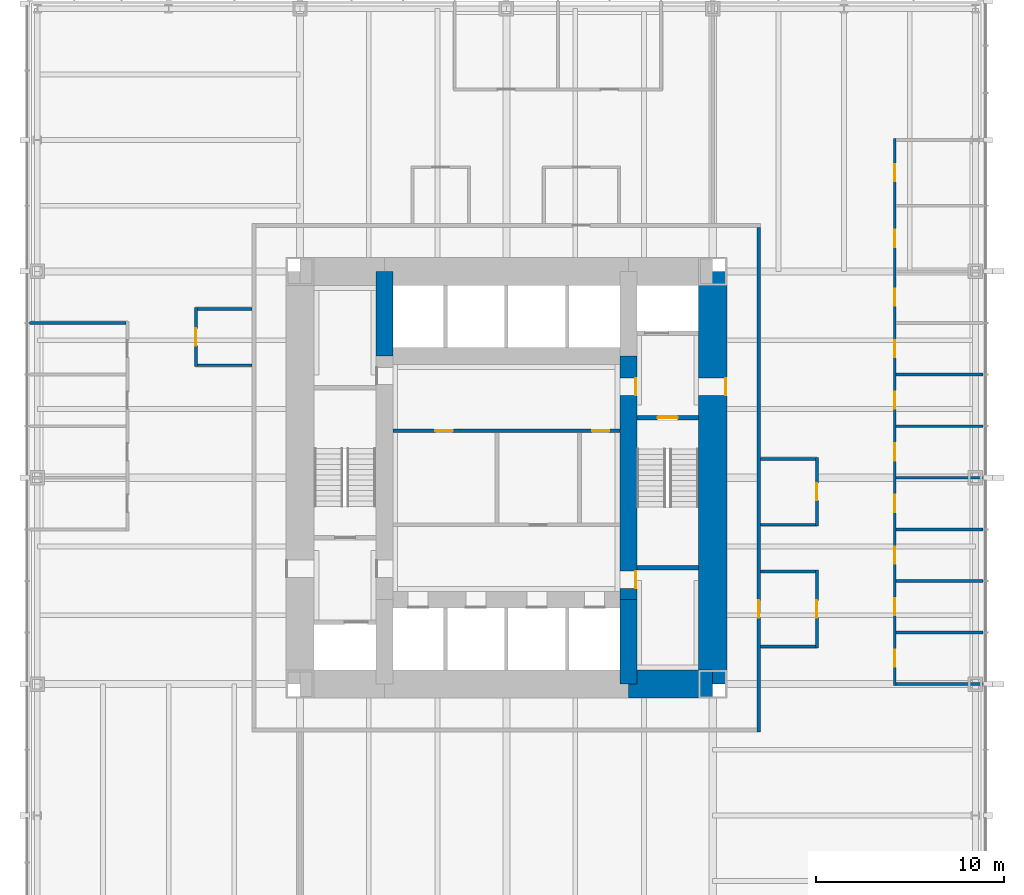
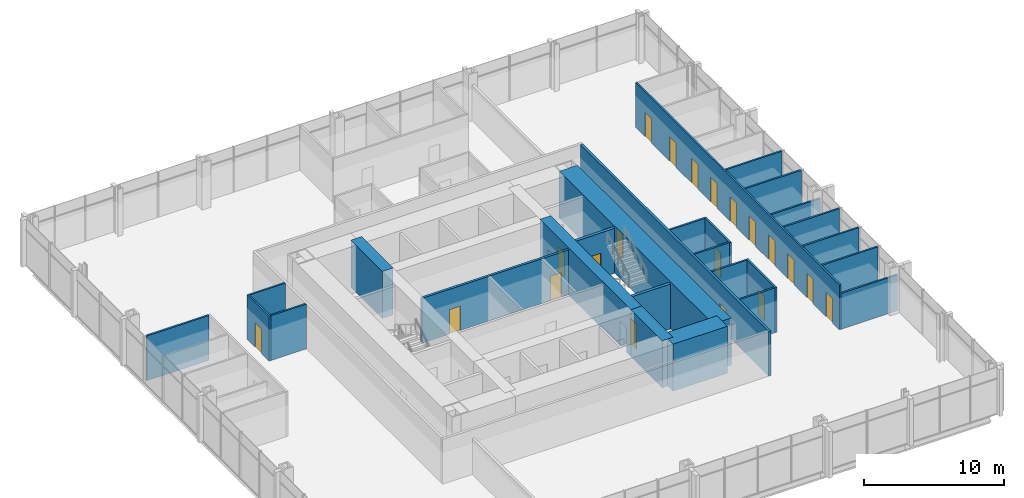
# One storey, part 10 of 12: 27 walls, 20 doors, 20 openings.
"""IFC4 building model written with IfcOpenShell, lengths in metres."""

import ifcopenshell
import ifcopenshell.guid

model = None  # the IFC model being written
_history = None  # IfcOwnerHistory: only IFC2X3 demands one
_inside = {}  # id of a spatial element -> (the spatial element, [elements in it])
_under = {}  # id of a project, library or spatial element -> (it, [spatial elements below it])
_declared = {}  # id of a project -> (the project, [libraries it declares])
_typed = {}  # id of a type object -> (the type object, [elements of that type])
_made_of = {}  # id of a material, layer set ... -> (it, [elements and type objects made of it])


def new_model(schema):
    """Start an empty IFC model of exactly this schema.

    Asked for "IFC4X3", IfcOpenShell would pick the latest addendum, in which some entities
    have other attributes; the version numbers below select the first issue.
    IFC2X3 requires an IfcOwnerHistory on every rooted entity: one is made here for all.
    """
    global model, _history
    if schema == "IFC4X3":
        model = ifcopenshell.file(schema_version=(4, 3, 0, 0))
    else:
        model = ifcopenshell.file(schema=schema)
    _inside.clear()
    _under.clear()
    _declared.clear()
    _typed.clear()
    _made_of.clear()
    _history = None
    if model.schema == "IFC2X3":
        org = make("IfcOrganization", Name="unknown")
        user = make(
            "IfcPersonAndOrganization",
            ThePerson=make("IfcPerson", FamilyName="unknown"),
            TheOrganization=org,
        )
        app = make(
            "IfcApplication",
            ApplicationDeveloper=org,
            Version="unknown",
            ApplicationFullName="unknown",
            ApplicationIdentifier="unknown",
        )
        _history = make(
            "IfcOwnerHistory",
            OwningUser=user,
            OwningApplication=app,
            ChangeAction="ADDED",
            CreationDate=0,
        )
    return model


def make(cls, **values):
    """One entity of the class cls with the attributes given. An attribute that is None is left unset."""
    return model.create_entity(
        cls, **{name: value for name, value in values.items() if value is not None}
    )


def rooted(cls, **values):
    """An entity with a GlobalId (a new one), such as an element, a storey or a relation."""
    return make(cls, GlobalId=ifcopenshell.guid.new(), OwnerHistory=_history, **values)


def si_unit(unit_type, name, prefix=None):
    """IfcSIUnit, for example si_unit("LENGTHUNIT", "METRE", prefix="MILLI")."""
    return make("IfcSIUnit", UnitType=unit_type, Prefix=prefix, Name=name)


def assignment(units):
    """IfcUnitAssignment: the units of a project."""
    return None if units is None else make("IfcUnitAssignment", Units=units)


def point(xyz):
    """IfcCartesianPoint."""
    return None if xyz is None else make("IfcCartesianPoint", Coordinates=xyz)


def direction(xyz):
    """IfcDirection."""
    return None if xyz is None else make("IfcDirection", DirectionRatios=xyz)


def frame(location, z_axis=None, x_axis=None):
    """IfcAxis2Placement3D, a coordinate frame: its origin and axes. An axis left out is left unset."""
    return make(
        "IfcAxis2Placement3D",
        Location=point(location),
        Axis=direction(z_axis),
        RefDirection=direction(x_axis),
    )


def frame_2d(location, x_axis=None):
    """IfcAxis2Placement2D, a coordinate frame in the plane: its origin and x axis."""
    return make(
        "IfcAxis2Placement2D", Location=point(location), RefDirection=direction(x_axis)
    )


def origin():
    """The frame at (0, 0, 0) with its axes left unset."""
    return frame((0.0, 0.0, 0.0))


def place(relative_to, where):
    """IfcLocalPlacement: puts the frame where relative to a parent placement (None: the world)."""
    return make(
        "IfcLocalPlacement", PlacementRelTo=relative_to, RelativePlacement=where
    )


def context(
    kind, dimensions, precision=None, world=None, true_north=None, identifier=None
):
    """IfcGeometricRepresentationContext, for example the 3D "Model" context."""
    return make(
        "IfcGeometricRepresentationContext",
        ContextIdentifier=identifier,
        ContextType=kind,
        CoordinateSpaceDimension=dimensions,
        Precision=precision,
        WorldCoordinateSystem=world,
        TrueNorth=true_north,
    )


def subcontext(parent, identifier, kind, view, scale=None):
    """IfcGeometricRepresentationSubContext, for example "Body" below "Model"."""
    return make(
        "IfcGeometricRepresentationSubContext",
        ContextIdentifier=identifier,
        ContextType=kind,
        ParentContext=parent,
        TargetScale=scale,
        TargetView=view,
    )


def project(units=None, contexts=None):
    """IfcProject with its units and contexts."""
    return rooted(
        "IfcProject",
        Name="project",
        RepresentationContexts=contexts,
        UnitsInContext=assignment(units),
    )


def spatial(cls, under=None, at=None, **own):
    """A site, building, storey or space (cls), placed at a placement, below another one or the project."""
    s = rooted(cls, ObjectPlacement=at, **own)
    if under is not None:
        _under.setdefault(under.id(), (under, []))[1].append(s)
    return s


def profile(cls, at=None, kind="AREA", **sizes):
    """A parametric profile (cls). Its sizes go by their IFC names, for example OverallWidth=200.0."""
    return make(cls, ProfileType=kind, Position=at, **sizes)


def rectangle(**sizes):
    """IfcRectangleProfileDef."""
    return profile("IfcRectangleProfileDef", **sizes)


def extrude(swept, where, along, depth):
    """IfcExtrudedAreaSolid: the profile swept, set in the frame where, extruded along a direction by depth."""
    return make(
        "IfcExtrudedAreaSolid",
        SweptArea=swept,
        Position=where,
        ExtrudedDirection=direction(along),
        Depth=depth,
    )


def shape(context_of_items, identifier, shape_type, items):
    """IfcShapeRepresentation: the items that make up one representation, for example the "Body"."""
    return make(
        "IfcShapeRepresentation",
        ContextOfItems=context_of_items,
        RepresentationIdentifier=identifier,
        RepresentationType=shape_type,
        Items=items,
    )


def material(Name=None, Category=None):
    """IfcMaterial."""
    return make("IfcMaterial", Name=Name, Category=Category)


def layer(
    of_material, thickness, ventilated=None, Name=None, Category=None, Priority=None
):
    """IfcMaterialLayer: one layer of a wall or slab, of a material (None: an air gap)."""
    return make(
        "IfcMaterialLayer",
        Material=of_material,
        LayerThickness=thickness,
        IsVentilated=ventilated,
        Name=Name,
        Category=Category,
        Priority=Priority,
    )


def layer_set(layers, Name=None):
    """IfcMaterialLayerSet."""
    return make("IfcMaterialLayerSet", MaterialLayers=layers, LayerSetName=Name)


def made_of(thing, what):
    """Note that an element or type object is made of a material, layer set ...; save() writes the relation."""
    if what is not None:
        _made_of.setdefault(what.id(), (what, []))[1].append(thing)
    return thing


def type_object(cls, material=None, **own):
    """A type object (cls), such as IfcWallType, which elements share."""
    return made_of(rooted(cls, **own), material)


def element(
    cls,
    number,
    at=None,
    inside=None,
    cuts=None,
    type_object=None,
    material=None,
    context=None,
    identifier="Body",
    shape_type=None,
    held_by="IfcProductDefinitionShape",
    body=None,
    shapes=None,
    **own,
):
    """One element of the class cls, such as IfcWall. Its Tag is "e" and its number.

    at: its placement. inside: the storey or other place that contains it. cuts: it is an
    opening in that element (IfcRelVoidsElement). A single representation is given by context,
    identifier, shape_type and body (its items); several are given by shapes. held_by: the class
    of the entity that holds the representations. save() writes the other relations.
    """
    e = rooted(cls, Tag="e%d" % number, ObjectPlacement=at, **own)
    if body is not None:
        shapes = [shape(context, identifier, shape_type, body)]
    if shapes is not None:
        e.Representation = make(held_by, Representations=shapes)
    if inside is not None:
        _inside.setdefault(inside.id(), (inside, []))[1].append(e)
    if cuts is not None:
        rooted(
            "IfcRelVoidsElement", RelatingBuildingElement=cuts, RelatedOpeningElement=e
        )
    if type_object is not None:
        _typed.setdefault(type_object.id(), (type_object, []))[1].append(e)
    return made_of(e, material)


def fill(opening, filler):
    """IfcRelFillsElement: the door or window that sits in an opening."""
    return rooted(
        "IfcRelFillsElement",
        RelatingOpeningElement=opening,
        RelatedBuildingElement=filler,
    )


def aggregate(whole, parts):
    """IfcRelAggregates: a whole, such as a stair, and the parts it consists of."""
    return rooted("IfcRelAggregates", RelatingObject=whole, RelatedObjects=parts)


def save(model, path):
    """Write the relations noted so far, then the file.

    IfcRelAggregates (storeys below a building ...), IfcRelContainedInSpatialStructure (elements
    in a storey), IfcRelDefinesByType, IfcRelAssociatesMaterial and IfcRelDeclares: one each for
    every whole, place, type object, material and project.
    """
    for whole, parts in _under.values():
        aggregate(whole, parts)
    for where, things in _inside.values():
        rooted(
            "IfcRelContainedInSpatialStructure",
            RelatedElements=things,
            RelatingStructure=where,
        )
    for kind, things in _typed.values():
        rooted("IfcRelDefinesByType", RelatedObjects=things, RelatingType=kind)
    for what, things in _made_of.values():
        rooted("IfcRelAssociatesMaterial", RelatedObjects=things, RelatingMaterial=what)
    for by, libraries in _declared.values():
        rooted("IfcRelDeclares", RelatingContext=by, RelatedDefinitions=libraries)
    model.write(path)


model = new_model("IFC4")

# Units and contexts
model_context = context("Model", 3, precision=1e-05, world=origin(), true_north=direction((0.0, 1.0)))
body_context = subcontext(model_context, "Body", "Model", "MODEL_VIEW")
ifc_project = project(units=[si_unit("LENGTHUNIT", "METRE"), si_unit("AREAUNIT", "SQUARE_METRE"), si_unit("VOLUMEUNIT", "CUBIC_METRE"), si_unit("PLANEANGLEUNIT", "RADIAN"), si_unit("MASSUNIT", "GRAM", prefix="KILO")], contexts=[model_context])

# Site, building, storey
site_placement = place(None, origin())
site = spatial("IfcSite", under=ifc_project, at=site_placement, CompositionType="ELEMENT")
building_placement = place(site_placement, origin())
building = spatial("IfcBuilding", under=site, at=building_placement, Name="Trevanion Tower", CompositionType="ELEMENT")
storey_placement = place(building_placement, frame((0.0, 0.0, 44.699951171875)))
storey = spatial("IfcBuildingStorey", under=building, at=storey_placement, Name="L10", CompositionType="ELEMENT", Elevation=44.699951171875)

# Wall, opening, door
ifc_material_1 = material(Name="Concrete 10,000 psi", Category="concrete")
ifc_layer_1 = layer(ifc_material_1, 1.5)
ifc_layer_set_1 = layer_set([ifc_layer_1], Name="CW1 core wall 1500")
wall_type_1 = type_object("IfcWallType", Name="CW1 core wall 1500", PredefinedType="SHEAR", material=ifc_layer_set_1)
wall_1_placement = place(storey_placement, frame((11.0, -11.0, 0.0), z_axis=(0.0, 0.0, 1.0), x_axis=(0.0, 1.0, 0.0)))
wall_1 = element("IfcWall", 1, at=wall_1_placement, inside=storey, type_object=wall_type_1, Name="CW1 CE L10", PredefinedType="SHEAR", context=body_context, shape_type="SweptSolid", body=[
    extrude(rectangle(XDim=22.0, YDim=1.5, at=frame_2d((11.0, 0.0))), origin(), (0.0, 0.0, 1.0), 4.10009765625),
])
opening_1_placement = place(wall_1_placement, frame((15.392578125, 0.0, 0.0)))
opening_1 = element("IfcOpeningElement", 2, at=opening_1_placement, cuts=wall_1, Name="Opening 10-001", PredefinedType="OPENING", context=body_context, shape_type="SweptSolid", body=[
    extrude(rectangle(XDim=0.9150390625, YDim=2.134033203125, at=frame_2d((0.45751953125, 1.06689453125))), frame((0.0, 0.760009765625, 0.0), z_axis=(0.0, -1.0, 0.0), x_axis=(1.0, 0.0, 0.0)), (0.0, 0.0, 1.0), 1.52001953125),
])
ifc_material_2 = material(Name="Hollow metal, fire rated", Category="steel")
door_type_1 = type_object("IfcDoorType", Name="D3 fire lift lobby door", OperationType="SINGLE_SWING_RIGHT", PredefinedType="DOOR", material=ifc_material_2)
door_1_placement = place(opening_1_placement, origin())
door_1 = element("IfcDoor", 3, at=door_1_placement, inside=storey, type_object=door_type_1, Name="Door 10-001", OperationType="SINGLE_SWING_RIGHT", OverallHeight=2.134033203125, OverallWidth=0.9150390625, PredefinedType="DOOR", context=body_context, shape_type="SweptSolid", body=[
    extrude(rectangle(XDim=0.9150390625, YDim=2.134033203125, at=frame_2d((0.45751953125, 1.06689453125))), frame((0.0, -0.6748046875, 0.0), z_axis=(0.0, -1.0, 0.0), x_axis=(1.0, 0.0, 0.0)), (0.0, 0.0, 1.0), 0.050048828125),
])
fill(opening_1, door_1)

# Walls
wall_2_placement = place(storey_placement, frame((6.5, -11.0, 0.0), z_axis=(0.0, 0.0, 1.0), x_axis=(1.0, 0.0, 0.0)))
element("IfcWall", 4, at=wall_2_placement, inside=storey, type_object=wall_type_1, Name="CW1 CS3 L10", PredefinedType="SHEAR", context=body_context, shape_type="SweptSolid", body=[
    extrude(rectangle(XDim=4.5, YDim=1.5, at=frame_2d((2.25, 0.0))), origin(), (0.0, 0.0, 1.0), 4.10009765625),
])
ifc_material_3 = material(Name="Concrete 10,000 psi", Category="concrete")
ifc_layer_2 = layer(ifc_material_3, 0.89990234375)
ifc_layer_set_2 = layer_set([ifc_layer_2], Name="CW2 core wall 900")
wall_type_2 = type_object("IfcWallType", Name="CW2 core wall 900", PredefinedType="SHEAR", material=ifc_layer_set_2)
wall_3_placement = place(storey_placement, frame((6.5, -11.0, 0.0), z_axis=(0.0, 0.0, 1.0), x_axis=(0.0, 1.0, 0.0)))
element("IfcWall", 5, at=wall_3_placement, inside=storey, type_object=wall_type_2, Name="CW2 RE1 L10", PredefinedType="SHEAR", context=body_context, shape_type="SweptSolid", body=[
    extrude(rectangle(XDim=4.5, YDim=0.89990234375, at=frame_2d((2.25, 0.0))), origin(), (0.0, 0.0, 1.0), 4.10009765625),
])

# Wall, openings, doors
wall_4_placement = place(storey_placement, frame((6.5, -6.5, 0.0), z_axis=(0.0, 0.0, 1.0), x_axis=(0.0, 1.0, 0.0)))
wall_4 = element("IfcWall", 6, at=wall_4_placement, inside=storey, type_object=wall_type_2, Name="CW2 RE2 L10", PredefinedType="SHEAR", context=body_context, shape_type="SweptSolid", body=[
    extrude(rectangle(XDim=13.0, YDim=0.89990234375, at=frame_2d((6.5, 0.0))), origin(), (0.0, 0.0, 1.0), 4.10009765625),
])
opening_2_placement = place(wall_4_placement, frame((10.892578125, 0.0, 0.0)))
opening_2 = element("IfcOpeningElement", 7, at=opening_2_placement, cuts=wall_4, Name="Opening 10-003", PredefinedType="OPENING", context=body_context, shape_type="SweptSolid", body=[
    extrude(rectangle(XDim=0.9150390625, YDim=2.134033203125, at=frame_2d((0.45751953125, 1.06689453125))), frame((0.0, 0.4599609375, 0.0), z_axis=(0.0, -1.0, 0.0), x_axis=(1.0, 0.0, 0.0)), (0.0, 0.0, 1.0), 0.919921875),
])
opening_3_placement = place(wall_4_placement, frame((0.610107421875, 0.0, 0.0)))
opening_3 = element("IfcOpeningElement", 8, at=opening_3_placement, cuts=wall_4, Name="Opening 10-009", PredefinedType="OPENING", context=body_context, shape_type="SweptSolid", body=[
    extrude(rectangle(XDim=0.9150390625, YDim=2.134033203125, at=frame_2d((0.45751953125, 1.06689453125))), frame((0.0, 0.4599609375, 0.0), z_axis=(0.0, -1.0, 0.0), x_axis=(1.0, 0.0, 0.0)), (0.0, 0.0, 1.0), 0.919921875),
])
door_2_placement = place(opening_2_placement, origin())
door_2 = element("IfcDoor", 9, at=door_2_placement, inside=storey, type_object=door_type_1, Name="Door 10-003", OperationType="SINGLE_SWING_RIGHT", OverallHeight=2.134033203125, OverallWidth=0.9150390625, PredefinedType="DOOR", context=body_context, shape_type="SweptSolid", body=[
    extrude(rectangle(XDim=0.9150390625, YDim=2.134033203125, at=frame_2d((0.45751953125, 1.06689453125))), frame((0.0, -0.375, 0.0), z_axis=(0.0, -1.0, 0.0), x_axis=(1.0, 0.0, 0.0)), (0.0, 0.0, 1.0), 0.050048828125),
])
fill(opening_2, door_2)
ifc_material_4 = material(Name="Hollow metal, fire rated", Category="steel")
door_type_2 = type_object("IfcDoorType", Name="D5 service room door", OperationType="SINGLE_SWING_RIGHT", PredefinedType="DOOR", material=ifc_material_4)
door_3_placement = place(opening_3_placement, origin())
door_3 = element("IfcDoor", 10, at=door_3_placement, inside=storey, type_object=door_type_2, Name="Door 10-009", OperationType="SINGLE_SWING_RIGHT", OverallHeight=2.134033203125, OverallWidth=0.9150390625, PredefinedType="DOOR", context=body_context, shape_type="SweptSolid", body=[
    extrude(rectangle(XDim=0.9150390625, YDim=2.134033203125, at=frame_2d((0.45751953125, 1.06689453125))), frame((0.0, -0.375, 0.0), z_axis=(0.0, -1.0, 0.0), x_axis=(1.0, 0.0, 0.0)), (0.0, 0.0, 1.0), 0.050048828125),
])
fill(opening_3, door_3)

# Wall
wall_5_placement = place(storey_placement, frame((-6.5, 11.0, 0.0), z_axis=(0.0, 0.0, 1.0), x_axis=(0.0, -1.0, 0.0)))
element("IfcWall", 11, at=wall_5_placement, inside=storey, type_object=wall_type_2, Name="CW2 RW1 L10", PredefinedType="SHEAR", context=body_context, shape_type="SweptSolid", body=[
    extrude(rectangle(XDim=4.5, YDim=0.89990234375, at=frame_2d((2.25, 0.0))), origin(), (0.0, 0.0, 1.0), 4.10009765625),
])

# Wall, openings, doors
ifc_material_5 = material(Name="Gypsum board on steel studs", Category="steel")
ifc_layer_3 = layer(ifc_material_5, 0.14990234375)
ifc_layer_set_3 = layer_set([ifc_layer_3], Name="PT1 partition 150")
wall_type_3 = type_object("IfcWallType", Name="PT1 partition 150", PredefinedType="PARTITIONING", material=ifc_layer_set_3)
wall_6_placement = place(storey_placement, frame((20.699951171875, -11.074951171875, 0.0), z_axis=(0.0, 0.0, 1.0), x_axis=(0.0, 1.0, 0.0)))
wall_6 = element("IfcWall", 12, at=wall_6_placement, inside=storey, type_object=wall_type_3, Name="PT1 L10 FC0F", PredefinedType="PARTITIONING", context=body_context, shape_type="SweptSolid", body=[
    extrude(rectangle(XDim=29.14990234375, YDim=0.14990234375, at=frame_2d((14.574951171875, 0.0))), origin(), (0.0, 0.0, 1.0), 3.91015625),
])
opening_4_placement = place(wall_6_placement, frame((0.992431640625, 0.0, 0.0)))
opening_4 = element("IfcOpeningElement", 13, at=opening_4_placement, cuts=wall_6, Name="Opening 10-018", PredefinedType="OPENING", context=body_context, shape_type="SweptSolid", body=[
    extrude(rectangle(XDim=0.9150390625, YDim=2.134033203125, at=frame_2d((0.45751953125, 1.06689453125))), frame((0.0, 0.0849609375, 0.0), z_axis=(0.0, -1.0, 0.0), x_axis=(1.0, 0.0, 0.0)), (0.0, 0.0, 1.0), 0.169921875),
])
opening_5_placement = place(wall_6_placement, frame((3.742431640625, 0.0, 0.0)))
opening_5 = element("IfcOpeningElement", 14, at=opening_5_placement, cuts=wall_6, Name="Opening 10-019", PredefinedType="OPENING", context=body_context, shape_type="SweptSolid", body=[
    extrude(rectangle(XDim=0.9150390625, YDim=2.134033203125, at=frame_2d((0.45751953125, 1.06689453125))), frame((0.0, 0.0849609375, 0.0), z_axis=(0.0, -1.0, 0.0), x_axis=(1.0, 0.0, 0.0)), (0.0, 0.0, 1.0), 0.169921875),
])
opening_6_placement = place(wall_6_placement, frame((6.492431640625, 0.0, 0.0)))
opening_6 = element("IfcOpeningElement", 15, at=opening_6_placement, cuts=wall_6, Name="Opening 10-020", PredefinedType="OPENING", context=body_context, shape_type="SweptSolid", body=[
    extrude(rectangle(XDim=0.9150390625, YDim=2.134033203125, at=frame_2d((0.45751953125, 1.06689453125))), frame((0.0, 0.0849609375, 0.0), z_axis=(0.0, -1.0, 0.0), x_axis=(1.0, 0.0, 0.0)), (0.0, 0.0, 1.0), 0.169921875),
])
opening_7_placement = place(wall_6_placement, frame((9.242431640625, 0.0, 0.0)))
opening_7 = element("IfcOpeningElement", 16, at=opening_7_placement, cuts=wall_6, Name="Opening 10-021", PredefinedType="OPENING", context=body_context, shape_type="SweptSolid", body=[
    extrude(rectangle(XDim=0.9150390625, YDim=2.134033203125, at=frame_2d((0.45751953125, 1.06689453125))), frame((0.0, 0.0849609375, 0.0), z_axis=(0.0, -1.0, 0.0), x_axis=(1.0, 0.0, 0.0)), (0.0, 0.0, 1.0), 0.169921875),
])
opening_8_placement = place(wall_6_placement, frame((11.992431640625, 0.0, 0.0)))
opening_8 = element("IfcOpeningElement", 17, at=opening_8_placement, cuts=wall_6, Name="Opening 10-022", PredefinedType="OPENING", context=body_context, shape_type="SweptSolid", body=[
    extrude(rectangle(XDim=0.9150390625, YDim=2.134033203125, at=frame_2d((0.45751953125, 1.06689453125))), frame((0.0, 0.0849609375, 0.0), z_axis=(0.0, -1.0, 0.0), x_axis=(1.0, 0.0, 0.0)), (0.0, 0.0, 1.0), 0.169921875),
])
opening_9_placement = place(wall_6_placement, frame((14.742431640625, 0.0, 0.0)))
opening_9 = element("IfcOpeningElement", 18, at=opening_9_placement, cuts=wall_6, Name="Opening 10-023", PredefinedType="OPENING", context=body_context, shape_type="SweptSolid", body=[
    extrude(rectangle(XDim=0.9150390625, YDim=2.134033203125, at=frame_2d((0.45751953125, 1.06689453125))), frame((0.0, 0.0849609375, 0.0), z_axis=(0.0, -1.0, 0.0), x_axis=(1.0, 0.0, 0.0)), (0.0, 0.0, 1.0), 0.169921875),
])
opening_10_placement = place(wall_6_placement, frame((17.492431640625, 0.0, 0.0)))
opening_10 = element("IfcOpeningElement", 19, at=opening_10_placement, cuts=wall_6, Name="Opening 10-024", PredefinedType="OPENING", context=body_context, shape_type="SweptSolid", body=[
    extrude(rectangle(XDim=0.9150390625, YDim=2.134033203125, at=frame_2d((0.45751953125, 1.06689453125))), frame((0.0, 0.0849609375, 0.0), z_axis=(0.0, -1.0, 0.0), x_axis=(1.0, 0.0, 0.0)), (0.0, 0.0, 1.0), 0.169921875),
])
opening_11_placement = place(wall_6_placement, frame((20.242431640625, 0.0, 0.0)))
opening_11 = element("IfcOpeningElement", 20, at=opening_11_placement, cuts=wall_6, Name="Opening 10-025", PredefinedType="OPENING", context=body_context, shape_type="SweptSolid", body=[
    extrude(rectangle(XDim=0.9150390625, YDim=2.134033203125, at=frame_2d((0.45751953125, 1.06689453125))), frame((0.0, 0.0849609375, 0.0), z_axis=(0.0, -1.0, 0.0), x_axis=(1.0, 0.0, 0.0)), (0.0, 0.0, 1.0), 0.169921875),
])
opening_12_placement = place(wall_6_placement, frame((23.367431640625, 0.0, 0.0)))
opening_12 = element("IfcOpeningElement", 21, at=opening_12_placement, cuts=wall_6, Name="Opening 10-026", PredefinedType="OPENING", context=body_context, shape_type="SweptSolid", body=[
    extrude(rectangle(XDim=0.9150390625, YDim=2.134033203125, at=frame_2d((0.45751953125, 1.06689453125))), frame((0.0, 0.0849609375, 0.0), z_axis=(0.0, -1.0, 0.0), x_axis=(1.0, 0.0, 0.0)), (0.0, 0.0, 1.0), 0.169921875),
])
opening_13_placement = place(wall_6_placement, frame((26.867431640625, 0.0, 0.0)))
opening_13 = element("IfcOpeningElement", 22, at=opening_13_placement, cuts=wall_6, Name="Opening 10-027", PredefinedType="OPENING", context=body_context, shape_type="SweptSolid", body=[
    extrude(rectangle(XDim=0.9150390625, YDim=2.134033203125, at=frame_2d((0.45751953125, 1.06689453125))), frame((0.0, 0.0849609375, 0.0), z_axis=(0.0, -1.0, 0.0), x_axis=(1.0, 0.0, 0.0)), (0.0, 0.0, 1.0), 0.169921875),
])
ifc_material_6 = material(Name="Timber veneer, solid core", Category="wood")
door_type_3 = type_object("IfcDoorType", Name="D1 office and meeting room door", OperationType="SINGLE_SWING_LEFT", PredefinedType="DOOR", material=ifc_material_6)
door_4_placement = place(opening_4_placement, origin())
door_4 = element("IfcDoor", 23, at=door_4_placement, inside=storey, type_object=door_type_3, Name="Door 10-018", OperationType="SINGLE_SWING_LEFT", OverallHeight=2.134033203125, OverallWidth=0.9150390625, PredefinedType="DOOR", context=body_context, shape_type="SweptSolid", body=[
    extrude(rectangle(XDim=0.9150390625, YDim=2.134033203125, at=frame_2d((0.45751953125, 1.06689453125))), frame((0.0, 0.02490234375, 0.0), z_axis=(0.0, -1.0, 0.0), x_axis=(1.0, 0.0, 0.0)), (0.0, 0.0, 1.0), 0.050048828125),
])
fill(opening_4, door_4)
door_5_placement = place(opening_5_placement, origin())
door_5 = element("IfcDoor", 24, at=door_5_placement, inside=storey, type_object=door_type_3, Name="Door 10-019", OperationType="SINGLE_SWING_LEFT", OverallHeight=2.134033203125, OverallWidth=0.9150390625, PredefinedType="DOOR", context=body_context, shape_type="SweptSolid", body=[
    extrude(rectangle(XDim=0.9150390625, YDim=2.134033203125, at=frame_2d((0.45751953125, 1.06689453125))), frame((0.0, 0.02490234375, 0.0), z_axis=(0.0, -1.0, 0.0), x_axis=(1.0, 0.0, 0.0)), (0.0, 0.0, 1.0), 0.050048828125),
])
fill(opening_5, door_5)
door_6_placement = place(opening_6_placement, origin())
door_6 = element("IfcDoor", 25, at=door_6_placement, inside=storey, type_object=door_type_3, Name="Door 10-020", OperationType="SINGLE_SWING_LEFT", OverallHeight=2.134033203125, OverallWidth=0.9150390625, PredefinedType="DOOR", context=body_context, shape_type="SweptSolid", body=[
    extrude(rectangle(XDim=0.9150390625, YDim=2.134033203125, at=frame_2d((0.45751953125, 1.06689453125))), frame((0.0, 0.02490234375, 0.0), z_axis=(0.0, -1.0, 0.0), x_axis=(1.0, 0.0, 0.0)), (0.0, 0.0, 1.0), 0.050048828125),
])
fill(opening_6, door_6)
door_7_placement = place(opening_7_placement, origin())
door_7 = element("IfcDoor", 26, at=door_7_placement, inside=storey, type_object=door_type_3, Name="Door 10-021", OperationType="SINGLE_SWING_LEFT", OverallHeight=2.134033203125, OverallWidth=0.9150390625, PredefinedType="DOOR", context=body_context, shape_type="SweptSolid", body=[
    extrude(rectangle(XDim=0.9150390625, YDim=2.134033203125, at=frame_2d((0.45751953125, 1.06689453125))), frame((0.0, 0.02490234375, 0.0), z_axis=(0.0, -1.0, 0.0), x_axis=(1.0, 0.0, 0.0)), (0.0, 0.0, 1.0), 0.050048828125),
])
fill(opening_7, door_7)
door_8_placement = place(opening_8_placement, origin())
door_8 = element("IfcDoor", 27, at=door_8_placement, inside=storey, type_object=door_type_3, Name="Door 10-022", OperationType="SINGLE_SWING_LEFT", OverallHeight=2.134033203125, OverallWidth=0.9150390625, PredefinedType="DOOR", context=body_context, shape_type="SweptSolid", body=[
    extrude(rectangle(XDim=0.9150390625, YDim=2.134033203125, at=frame_2d((0.45751953125, 1.06689453125))), frame((0.0, 0.02490234375, 0.0), z_axis=(0.0, -1.0, 0.0), x_axis=(1.0, 0.0, 0.0)), (0.0, 0.0, 1.0), 0.050048828125),
])
fill(opening_8, door_8)
door_9_placement = place(opening_9_placement, origin())
door_9 = element("IfcDoor", 28, at=door_9_placement, inside=storey, type_object=door_type_3, Name="Door 10-023", OperationType="SINGLE_SWING_LEFT", OverallHeight=2.134033203125, OverallWidth=0.9150390625, PredefinedType="DOOR", context=body_context, shape_type="SweptSolid", body=[
    extrude(rectangle(XDim=0.9150390625, YDim=2.134033203125, at=frame_2d((0.45751953125, 1.06689453125))), frame((0.0, 0.02490234375, 0.0), z_axis=(0.0, -1.0, 0.0), x_axis=(1.0, 0.0, 0.0)), (0.0, 0.0, 1.0), 0.050048828125),
])
fill(opening_9, door_9)
door_10_placement = place(opening_10_placement, origin())
door_10 = element("IfcDoor", 29, at=door_10_placement, inside=storey, type_object=door_type_3, Name="Door 10-024", OperationType="SINGLE_SWING_LEFT", OverallHeight=2.134033203125, OverallWidth=0.9150390625, PredefinedType="DOOR", context=body_context, shape_type="SweptSolid", body=[
    extrude(rectangle(XDim=0.9150390625, YDim=2.134033203125, at=frame_2d((0.45751953125, 1.06689453125))), frame((0.0, 0.02490234375, 0.0), z_axis=(0.0, -1.0, 0.0), x_axis=(1.0, 0.0, 0.0)), (0.0, 0.0, 1.0), 0.050048828125),
])
fill(opening_10, door_10)
door_11_placement = place(opening_11_placement, origin())
door_11 = element("IfcDoor", 30, at=door_11_placement, inside=storey, type_object=door_type_3, Name="Door 10-025", OperationType="SINGLE_SWING_LEFT", OverallHeight=2.134033203125, OverallWidth=0.9150390625, PredefinedType="DOOR", context=body_context, shape_type="SweptSolid", body=[
    extrude(rectangle(XDim=0.9150390625, YDim=2.134033203125, at=frame_2d((0.45751953125, 1.06689453125))), frame((0.0, 0.02490234375, 0.0), z_axis=(0.0, -1.0, 0.0), x_axis=(1.0, 0.0, 0.0)), (0.0, 0.0, 1.0), 0.050048828125),
])
fill(opening_11, door_11)
door_12_placement = place(opening_12_placement, origin())
door_12 = element("IfcDoor", 31, at=door_12_placement, inside=storey, type_object=door_type_3, Name="Door 10-026", OperationType="SINGLE_SWING_LEFT", OverallHeight=2.134033203125, OverallWidth=0.9150390625, PredefinedType="DOOR", context=body_context, shape_type="SweptSolid", body=[
    extrude(rectangle(XDim=0.9150390625, YDim=2.134033203125, at=frame_2d((0.45751953125, 1.06689453125))), frame((0.0, 0.02490234375, 0.0), z_axis=(0.0, -1.0, 0.0), x_axis=(1.0, 0.0, 0.0)), (0.0, 0.0, 1.0), 0.050048828125),
])
fill(opening_12, door_12)
door_13_placement = place(opening_13_placement, origin())
door_13 = element("IfcDoor", 32, at=door_13_placement, inside=storey, type_object=door_type_3, Name="Door 10-027", OperationType="SINGLE_SWING_LEFT", OverallHeight=2.134033203125, OverallWidth=0.9150390625, PredefinedType="DOOR", context=body_context, shape_type="SweptSolid", body=[
    extrude(rectangle(XDim=0.9150390625, YDim=2.134033203125, at=frame_2d((0.45751953125, 1.06689453125))), frame((0.0, 0.02490234375, 0.0), z_axis=(0.0, -1.0, 0.0), x_axis=(1.0, 0.0, 0.0)), (0.0, 0.0, 1.0), 0.050048828125),
])
fill(opening_13, door_13)

# Walls
wall_7_placement = place(storey_placement, frame((20.77490234375, -11.0, 0.0), z_axis=(0.0, 0.0, 1.0), x_axis=(1.0, 0.0, 0.0)))
element("IfcWall", 33, at=wall_7_placement, inside=storey, type_object=wall_type_3, Name="PT1 L10 FC0S0", PredefinedType="PARTITIONING", context=body_context, shape_type="SweptSolid", body=[
    extrude(rectangle(XDim=4.64013671875, YDim=0.14990234375, at=frame_2d((2.320068359375, 0.0))), origin(), (0.0, 0.0, 1.0), 3.130126953125),
])
for number, where, z_axis, x_axis, name in (
    (34, (20.77490234375, -8.25, 0.0), (0.0, 0.0, 1.0), (1.0, 0.0, 0.0), "PT1 L10 FC0S1"),
    (35, (20.77490234375, -5.5, 0.0), (0.0, 0.0, 1.0), (1.0, 0.0, 0.0), "PT1 L10 FC0S2"),
    (36, (20.77490234375, -2.75, 0.0), (0.0, 0.0, 1.0), (1.0, 0.0, 0.0), "PT1 L10 FC0S3"),
):
    element("IfcWall", number, at=place(storey_placement, frame(where, z_axis=z_axis, x_axis=x_axis)), inside=storey, type_object=wall_type_3, Name=name, PredefinedType="PARTITIONING", context=body_context, shape_type="SweptSolid", body=[
        extrude(rectangle(XDim=4.64013671875, YDim=0.14990234375, at=frame_2d((2.320068359375, 0.0))), origin(), (0.0, 0.0, 1.0), 3.91015625),
    ])
wall_8_placement = place(storey_placement, frame((20.77490234375, 0.0, 0.0), z_axis=(0.0, 0.0, 1.0), x_axis=(1.0, 0.0, 0.0)))
element("IfcWall", 37, at=wall_8_placement, inside=storey, type_object=wall_type_3, Name="PT1 L10 FC0S4", PredefinedType="PARTITIONING", context=body_context, shape_type="SweptSolid", body=[
    extrude(rectangle(XDim=4.64013671875, YDim=0.14990234375, at=frame_2d((2.320068359375, 0.0))), origin(), (0.0, 0.0, 1.0), 3.130126953125),
])
for number, where, z_axis, x_axis, name in (
    (38, (20.77490234375, 2.75, 0.0), (0.0, 0.0, 1.0), (1.0, 0.0, 0.0), "PT1 L10 FC0S5"),
    (39, (20.77490234375, 5.5, 0.0), (0.0, 0.0, 1.0), (1.0, 0.0, 0.0), "PT1 L10 FC0S6"),
):
    element("IfcWall", number, at=place(storey_placement, frame(where, z_axis=z_axis, x_axis=x_axis)), inside=storey, type_object=wall_type_3, Name=name, PredefinedType="PARTITIONING", context=body_context, shape_type="SweptSolid", body=[
        extrude(rectangle(XDim=4.64013671875, YDim=0.14990234375, at=frame_2d((2.320068359375, 0.0))), origin(), (0.0, 0.0, 1.0), 3.91015625),
    ])
wall_9_placement = place(storey_placement, frame((-20.27490234375, 8.25, 0.0), z_axis=(0.0, 0.0, 1.0), x_axis=(-1.0, 0.0, 0.0)))
element("IfcWall", 40, at=wall_9_placement, inside=storey, type_object=wall_type_3, Name="PT1 L10 FC2S0", PredefinedType="PARTITIONING", context=body_context, shape_type="SweptSolid", body=[
    extrude(rectangle(XDim=5.14013671875, YDim=0.14990234375, at=frame_2d((2.570068359375, 0.0))), origin(), (0.0, 0.0, 1.0), 3.91015625),
])

# Wall, opening, door
wall_10_placement = place(storey_placement, frame((16.550048828125, -9.074951171875, 0.0), z_axis=(0.0, 0.0, 1.0), x_axis=(0.0, 1.0, 0.0)))
wall_10 = element("IfcWall", 41, at=wall_10_placement, inside=storey, type_object=wall_type_3, Name="PT1 L10 IN00F", PredefinedType="PARTITIONING", context=body_context, shape_type="SweptSolid", body=[
    extrude(rectangle(XDim=4.14990234375, YDim=0.14990234375, at=frame_2d((2.074951171875, 0.0))), origin(), (0.0, 0.0, 1.0), 3.91015625),
])
opening_14_placement = place(wall_10_placement, frame((1.617431640625, 0.0, 0.0)))
opening_14 = element("IfcOpeningElement", 42, at=opening_14_placement, cuts=wall_10, Name="Opening 10-034", PredefinedType="OPENING", context=body_context, shape_type="SweptSolid", body=[
    extrude(rectangle(XDim=0.9150390625, YDim=2.134033203125, at=frame_2d((0.45751953125, 1.06689453125))), frame((0.0, 0.0849609375, 0.0), z_axis=(0.0, -1.0, 0.0), x_axis=(1.0, 0.0, 0.0)), (0.0, 0.0, 1.0), 0.169921875),
])
door_14_placement = place(opening_14_placement, origin())
door_14 = element("IfcDoor", 43, at=door_14_placement, inside=storey, type_object=door_type_3, Name="Door 10-034", OperationType="SINGLE_SWING_LEFT", OverallHeight=2.134033203125, OverallWidth=0.9150390625, PredefinedType="DOOR", context=body_context, shape_type="SweptSolid", body=[
    extrude(rectangle(XDim=0.9150390625, YDim=2.134033203125, at=frame_2d((0.45751953125, 1.06689453125))), frame((0.0, 0.02490234375, 0.0), z_axis=(0.0, -1.0, 0.0), x_axis=(1.0, 0.0, 0.0)), (0.0, 0.0, 1.0), 0.050048828125),
])
fill(opening_14, door_14)

# Walls
for number, where, z_axis, x_axis, name in (
    (44, (16.47509765625, -9.0, 0.0), (0.0, 0.0, 1.0), (-1.0, 0.0, 0.0), "PT1 L10 IN00S0"),
    (45, (16.47509765625, -5.0, 0.0), (0.0, 0.0, 1.0), (-1.0, 0.0, 0.0), "PT1 L10 IN00S1"),
):
    element("IfcWall", number, at=place(storey_placement, frame(where, z_axis=z_axis, x_axis=x_axis)), inside=storey, type_object=wall_type_3, Name=name, PredefinedType="PARTITIONING", context=body_context, shape_type="SweptSolid", body=[
        extrude(rectangle(XDim=2.925048828125, YDim=0.14990234375, at=frame_2d((1.46240234375, 0.0))), origin(), (0.0, 0.0, 1.0), 3.91015625),
    ])

# Wall, opening, door
wall_11_placement = place(storey_placement, frame((16.550048828125, -2.574951171875, 0.0), z_axis=(0.0, 0.0, 1.0), x_axis=(0.0, 1.0, 0.0)))
wall_11 = element("IfcWall", 46, at=wall_11_placement, inside=storey, type_object=wall_type_3, Name="PT1 L10 IN01F", PredefinedType="PARTITIONING", context=body_context, shape_type="SweptSolid", body=[
    extrude(rectangle(XDim=3.64990234375, YDim=0.14990234375, at=frame_2d((1.824951171875, 0.0))), origin(), (0.0, 0.0, 1.0), 3.91015625),
])
opening_15_placement = place(wall_11_placement, frame((1.367431640625, 0.0, 0.0)))
opening_15 = element("IfcOpeningElement", 47, at=opening_15_placement, cuts=wall_11, Name="Opening 10-036", PredefinedType="OPENING", context=body_context, shape_type="SweptSolid", body=[
    extrude(rectangle(XDim=0.9150390625, YDim=2.134033203125, at=frame_2d((0.45751953125, 1.06689453125))), frame((0.0, 0.0849609375, 0.0), z_axis=(0.0, -1.0, 0.0), x_axis=(1.0, 0.0, 0.0)), (0.0, 0.0, 1.0), 0.169921875),
])
door_15_placement = place(opening_15_placement, origin())
door_15 = element("IfcDoor", 48, at=door_15_placement, inside=storey, type_object=door_type_3, Name="Door 10-036", OperationType="SINGLE_SWING_LEFT", OverallHeight=2.134033203125, OverallWidth=0.9150390625, PredefinedType="DOOR", context=body_context, shape_type="SweptSolid", body=[
    extrude(rectangle(XDim=0.9150390625, YDim=2.134033203125, at=frame_2d((0.45751953125, 1.06689453125))), frame((0.0, 0.02490234375, 0.0), z_axis=(0.0, -1.0, 0.0), x_axis=(1.0, 0.0, 0.0)), (0.0, 0.0, 1.0), 0.050048828125),
])
fill(opening_15, door_15)

# Walls
for number, where, z_axis, x_axis, name in (
    (49, (16.47509765625, -2.5, 0.0), (0.0, 0.0, 1.0), (-1.0, 0.0, 0.0), "PT1 L10 IN01S0"),
    (50, (16.47509765625, 1.0, 0.0), (0.0, 0.0, 1.0), (-1.0, 0.0, 0.0), "PT1 L10 IN01S1"),
):
    element("IfcWall", number, at=place(storey_placement, frame(where, z_axis=z_axis, x_axis=x_axis)), inside=storey, type_object=wall_type_3, Name=name, PredefinedType="PARTITIONING", context=body_context, shape_type="SweptSolid", body=[
        extrude(rectangle(XDim=2.925048828125, YDim=0.14990234375, at=frame_2d((1.46240234375, 0.0))), origin(), (0.0, 0.0, 1.0), 3.91015625),
    ])

# Wall, opening, door
wall_12_placement = place(storey_placement, frame((-16.550048828125, 9.074951171875, 0.0), z_axis=(0.0, 0.0, 1.0), x_axis=(0.0, -1.0, 0.0)))
wall_12 = element("IfcWall", 51, at=wall_12_placement, inside=storey, type_object=wall_type_3, Name="PT1 L10 IN20F", PredefinedType="PARTITIONING", context=body_context, shape_type="SweptSolid", body=[
    extrude(rectangle(XDim=3.14990234375, YDim=0.14990234375, at=frame_2d((1.574951171875, 0.0))), origin(), (0.0, 0.0, 1.0), 3.91015625),
])
opening_16_placement = place(wall_12_placement, frame((1.117431640625, 0.0, 0.0)))
opening_16 = element("IfcOpeningElement", 52, at=opening_16_placement, cuts=wall_12, Name="Opening 10-040", PredefinedType="OPENING", context=body_context, shape_type="SweptSolid", body=[
    extrude(rectangle(XDim=0.9150390625, YDim=2.134033203125, at=frame_2d((0.45751953125, 1.06689453125))), frame((0.0, 0.0849609375, 0.0), z_axis=(0.0, -1.0, 0.0), x_axis=(1.0, 0.0, 0.0)), (0.0, 0.0, 1.0), 0.169921875),
])
door_16_placement = place(opening_16_placement, origin())
door_16 = element("IfcDoor", 53, at=door_16_placement, inside=storey, type_object=door_type_3, Name="Door 10-040", OperationType="SINGLE_SWING_LEFT", OverallHeight=2.134033203125, OverallWidth=0.9150390625, PredefinedType="DOOR", context=body_context, shape_type="SweptSolid", body=[
    extrude(rectangle(XDim=0.9150390625, YDim=2.134033203125, at=frame_2d((0.45751953125, 1.06689453125))), frame((0.0, 0.02490234375, 0.0), z_axis=(0.0, -1.0, 0.0), x_axis=(1.0, 0.0, 0.0)), (0.0, 0.0, 1.0), 0.050048828125),
])
fill(opening_16, door_16)

# Walls
for number, where, z_axis, x_axis, name in (
    (54, (-16.47509765625, 9.0, 0.0), (0.0, 0.0, 1.0), (1.0, 0.0, 0.0), "PT1 L10 IN20S0"),
    (55, (-16.47509765625, 6.0, 0.0), (0.0, 0.0, 1.0), (1.0, 0.0, 0.0), "PT1 L10 IN20S1"),
):
    element("IfcWall", number, at=place(storey_placement, frame(where, z_axis=z_axis, x_axis=x_axis)), inside=storey, type_object=wall_type_3, Name=name, PredefinedType="PARTITIONING", context=body_context, shape_type="SweptSolid", body=[
        extrude(rectangle(XDim=2.925048828125, YDim=0.14990234375, at=frame_2d((1.46240234375, 0.0))), origin(), (0.0, 0.0, 1.0), 3.91015625),
    ])

# Wall, openings, doors
ifc_material_7 = material(Name="Concrete masonry, grouted", Category="masonry")
ifc_layer_4 = layer(ifc_material_7, 0.199951171875)
ifc_layer_set_4 = layer_set([ifc_layer_4], Name="PT2 partition 200 1 HR")
wall_type_4 = type_object("IfcWallType", Name="PT2 partition 200 1 HR", PredefinedType="PARTITIONING", material=ifc_layer_set_4)
wall_13_placement = place(storey_placement, frame((-6.050048828125, 2.5, 0.0), z_axis=(0.0, 0.0, 1.0), x_axis=(1.0, 0.0, 0.0)))
wall_13 = element("IfcWall", 56, at=wall_13_placement, inside=storey, type_object=wall_type_4, Name="PT2 L10 CP1", PredefinedType="PARTITIONING", context=body_context, shape_type="SweptSolid", body=[
    extrude(rectangle(XDim=12.10009765625, YDim=0.199951171875, at=frame_2d((6.050048828125, 0.0))), origin(), (0.0, 0.0, 1.0), 3.91015625),
])
opening_17_placement = place(wall_13_placement, frame((2.267578125, 0.0, 0.0)))
opening_17 = element("IfcOpeningElement", 57, at=opening_17_placement, cuts=wall_13, Name="Opening 10-015", PredefinedType="OPENING", context=body_context, shape_type="SweptSolid", body=[
    extrude(rectangle(XDim=0.9150390625, YDim=2.134033203125, at=frame_2d((0.45751953125, 1.06689453125))), frame((0.0, 0.10986328125, 0.0), z_axis=(0.0, -1.0, 0.0), x_axis=(1.0, 0.0, 0.0)), (0.0, 0.0, 1.0), 0.219970703125),
])
opening_18_placement = place(wall_13_placement, frame((10.617431640625, 0.0, 0.0)))
opening_18 = element("IfcOpeningElement", 58, at=opening_18_placement, cuts=wall_13, Name="Opening 10-017", PredefinedType="OPENING", context=body_context, shape_type="SweptSolid", body=[
    extrude(rectangle(XDim=0.9150390625, YDim=2.134033203125, at=frame_2d((0.45751953125, 1.06689453125))), frame((0.0, 0.10986328125, 0.0), z_axis=(0.0, -1.0, 0.0), x_axis=(1.0, 0.0, 0.0)), (0.0, 0.0, 1.0), 0.219970703125),
])
ifc_material_8 = material(Name="Plastic laminate on fire-rated core", Category="wood")
door_type_4 = type_object("IfcDoorType", Name="D12 toilet door in a one hour wall", OperationType="SINGLE_SWING_LEFT", PredefinedType="DOOR", material=ifc_material_8)
door_17_placement = place(opening_17_placement, origin())
door_17 = element("IfcDoor", 59, at=door_17_placement, inside=storey, type_object=door_type_4, Name="Door 10-015", OperationType="SINGLE_SWING_LEFT", OverallHeight=2.134033203125, OverallWidth=0.9150390625, PredefinedType="DOOR", context=body_context, shape_type="SweptSolid", body=[
    extrude(rectangle(XDim=0.9150390625, YDim=2.134033203125, at=frame_2d((0.45751953125, 1.06689453125))), frame((0.0, 0.02490234375, 0.0), z_axis=(0.0, -1.0, 0.0), x_axis=(1.0, 0.0, 0.0)), (0.0, 0.0, 1.0), 0.050048828125),
])
fill(opening_17, door_17)
door_18_placement = place(opening_18_placement, origin())
door_18 = element("IfcDoor", 60, at=door_18_placement, inside=storey, type_object=door_type_4, Name="Door 10-017", OperationType="SINGLE_SWING_LEFT", OverallHeight=2.134033203125, OverallWidth=0.9150390625, PredefinedType="DOOR", context=body_context, shape_type="SweptSolid", body=[
    extrude(rectangle(XDim=0.9150390625, YDim=2.134033203125, at=frame_2d((0.45751953125, 1.06689453125))), frame((0.0, 0.02490234375, 0.0), z_axis=(0.0, -1.0, 0.0), x_axis=(1.0, 0.0, 0.0)), (0.0, 0.0, 1.0), 0.050048828125),
])
fill(opening_18, door_18)

# Wall, opening, door
wall_14_placement = place(storey_placement, frame((13.449951171875, -13.550048828125, 0.0), z_axis=(0.0, 0.0, 1.0), x_axis=(0.0, 1.0, 0.0)))
wall_14 = element("IfcWall", 61, at=wall_14_placement, inside=storey, type_object=wall_type_4, Name="PT2 L10 OC0", PredefinedType="PARTITIONING", context=body_context, shape_type="SweptSolid", body=[
    extrude(rectangle(XDim=26.900146484375, YDim=0.199951171875, at=frame_2d((13.4501953125, 0.0))), origin(), (0.0, 0.0, 1.0), 3.91015625),
])
opening_19_placement = place(wall_14_placement, frame((6.092529296875, 0.0, 0.0)))
opening_19 = element("IfcOpeningElement", 62, at=opening_19_placement, cuts=wall_14, Name="Opening 10-035", PredefinedType="OPENING", context=body_context, shape_type="SweptSolid", body=[
    extrude(rectangle(XDim=0.9150390625, YDim=2.134033203125, at=frame_2d((0.45751953125, 1.06689453125))), frame((0.0, 0.10986328125, 0.0), z_axis=(0.0, -1.0, 0.0), x_axis=(1.0, 0.0, 0.0)), (0.0, 0.0, 1.0), 0.219970703125),
])
ifc_material_9 = material(Name="Timber veneer, fire rated", Category="wood")
door_type_5 = type_object("IfcDoorType", Name="D10 office door in a one hour wall", OperationType="SINGLE_SWING_LEFT", PredefinedType="DOOR", material=ifc_material_9)
door_19_placement = place(opening_19_placement, origin())
door_19 = element("IfcDoor", 63, at=door_19_placement, inside=storey, type_object=door_type_5, Name="Door 10-035", OperationType="SINGLE_SWING_LEFT", OverallHeight=2.134033203125, OverallWidth=0.9150390625, PredefinedType="DOOR", context=body_context, shape_type="SweptSolid", body=[
    extrude(rectangle(XDim=0.9150390625, YDim=2.134033203125, at=frame_2d((0.45751953125, 1.06689453125))), frame((0.0, 0.02490234375, 0.0), z_axis=(0.0, -1.0, 0.0), x_axis=(1.0, 0.0, 0.0)), (0.0, 0.0, 1.0), 0.050048828125),
])
fill(opening_19, door_19)

# Wall
ifc_material_10 = material(Name="Reinforced masonry, fully grouted", Category="masonry")
ifc_layer_5 = layer(ifc_material_10, 0.25)
ifc_layer_set_5 = layer_set([ifc_layer_5], Name="SW1 stair shaft wall 250")
wall_type_5 = type_object("IfcWallType", Name="SW1 stair shaft wall 250", PredefinedType="SOLIDWALL", material=ifc_layer_set_5)
wall_15_placement = place(storey_placement, frame((6.949951171875, -4.800048828125, 0.0), z_axis=(0.0, 0.0, 1.0), x_axis=(1.0, 0.0, 0.0)))
element("IfcWall", 64, at=wall_15_placement, inside=storey, type_object=wall_type_5, Name="SW1 L10 EP1", PredefinedType="SOLIDWALL", context=body_context, shape_type="SweptSolid", body=[
    extrude(rectangle(XDim=3.300048828125, YDim=0.25, at=frame_2d((1.64990234375, 0.0))), origin(), (0.0, 0.0, 1.0), 3.91015625),
])

# Wall, opening, door
wall_16_placement = place(storey_placement, frame((6.949951171875, 3.199951171875, 0.0), z_axis=(0.0, 0.0, 1.0), x_axis=(1.0, 0.0, 0.0)))
wall_16 = element("IfcWall", 65, at=wall_16_placement, inside=storey, type_object=wall_type_5, Name="SW1 L10 EP2", PredefinedType="SOLIDWALL", context=body_context, shape_type="SweptSolid", body=[
    extrude(rectangle(XDim=3.300048828125, YDim=0.25, at=frame_2d((1.64990234375, 0.0))), origin(), (0.0, 0.0, 1.0), 3.91015625),
])
opening_20_placement = place(wall_16_placement, frame((1.116455078125, 0.0, 0.0)))
opening_20 = element("IfcOpeningElement", 66, at=opening_20_placement, cuts=wall_16, Name="Opening 10-005", PredefinedType="OPENING", context=body_context, shape_type="SweptSolid", body=[
    extrude(rectangle(XDim=1.06689453125, YDim=2.134033203125, at=frame_2d((0.533447265625, 1.06689453125))), frame((0.0, 0.135009765625, 0.0), z_axis=(0.0, -1.0, 0.0), x_axis=(1.0, 0.0, 0.0)), (0.0, 0.0, 1.0), 0.27001953125),
])
ifc_material_11 = material(Name="Hollow metal, fire rated", Category="steel")
door_type_6 = type_object("IfcDoorType", Name="D2 exit stair door", OperationType="SINGLE_SWING_LEFT", PredefinedType="DOOR", material=ifc_material_11)
door_20_placement = place(opening_20_placement, origin())
door_20 = element("IfcDoor", 67, at=door_20_placement, inside=storey, type_object=door_type_6, Name="Door 10-005", OperationType="SINGLE_SWING_LEFT", OverallHeight=2.134033203125, OverallWidth=1.06689453125, PredefinedType="DOOR", context=body_context, shape_type="SweptSolid", body=[
    extrude(rectangle(XDim=1.06689453125, YDim=2.134033203125, at=frame_2d((0.533447265625, 1.06689453125))), frame((0.0, 0.02490234375, 0.0), z_axis=(0.0, -1.0, 0.0), x_axis=(1.0, 0.0, 0.0)), (0.0, 0.0, 1.0), 0.050048828125),
])
fill(opening_20, door_20)

save(model, "model.ifc")
